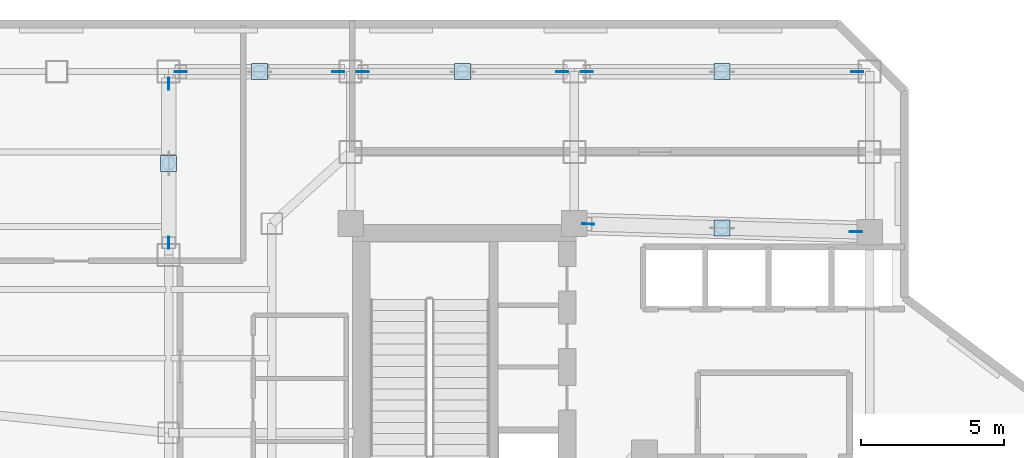
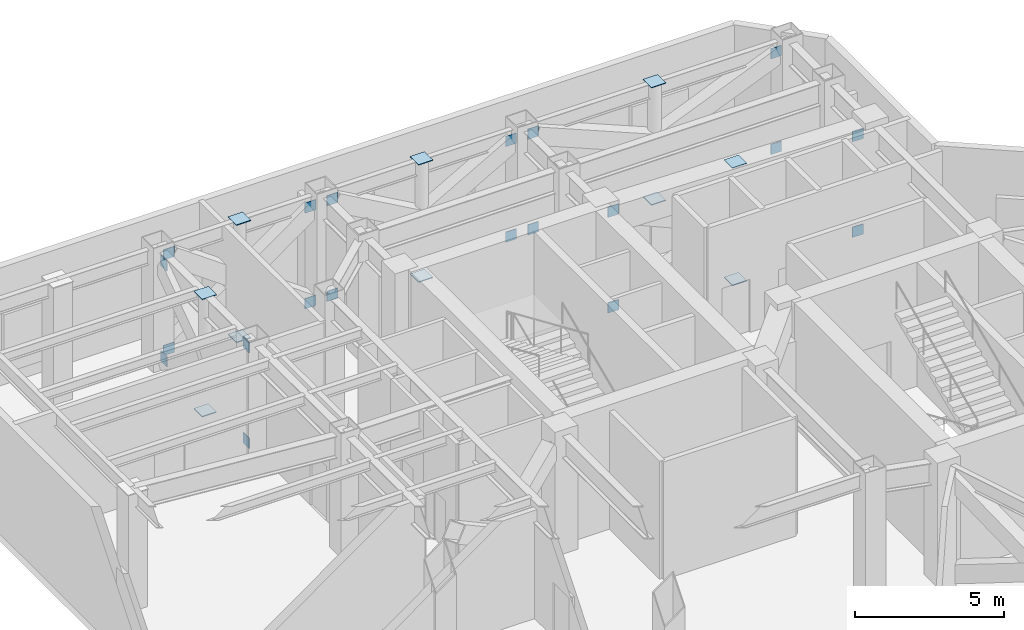
# One storey, part 6 of 12: 30 plates.
"""IFC4 building model written with IfcOpenShell, lengths in metres."""

import ifcopenshell
import ifcopenshell.guid

model = None  # the IFC model being written
_history = None  # IfcOwnerHistory: only IFC2X3 demands one
_inside = {}  # id of a spatial element -> (the spatial element, [elements in it])
_under = {}  # id of a project, library or spatial element -> (it, [spatial elements below it])
_declared = {}  # id of a project -> (the project, [libraries it declares])
_typed = {}  # id of a type object -> (the type object, [elements of that type])
_made_of = {}  # id of a material, layer set ... -> (it, [elements and type objects made of it])


def new_model(schema):
    """Start an empty IFC model of exactly this schema.

    Asked for "IFC4X3", IfcOpenShell would pick the latest addendum, in which some entities
    have other attributes; the version numbers below select the first issue.
    IFC2X3 requires an IfcOwnerHistory on every rooted entity: one is made here for all.
    """
    global model, _history
    if schema == "IFC4X3":
        model = ifcopenshell.file(schema_version=(4, 3, 0, 0))
    else:
        model = ifcopenshell.file(schema=schema)
    _inside.clear()
    _under.clear()
    _declared.clear()
    _typed.clear()
    _made_of.clear()
    _history = None
    if model.schema == "IFC2X3":
        org = make("IfcOrganization", Name="unknown")
        user = make(
            "IfcPersonAndOrganization",
            ThePerson=make("IfcPerson", FamilyName="unknown"),
            TheOrganization=org,
        )
        app = make(
            "IfcApplication",
            ApplicationDeveloper=org,
            Version="unknown",
            ApplicationFullName="unknown",
            ApplicationIdentifier="unknown",
        )
        _history = make(
            "IfcOwnerHistory",
            OwningUser=user,
            OwningApplication=app,
            ChangeAction="ADDED",
            CreationDate=0,
        )
    return model


def make(cls, **values):
    """One entity of the class cls with the attributes given. An attribute that is None is left unset."""
    return model.create_entity(
        cls, **{name: value for name, value in values.items() if value is not None}
    )


def rooted(cls, **values):
    """An entity with a GlobalId (a new one), such as an element, a storey or a relation."""
    return make(cls, GlobalId=ifcopenshell.guid.new(), OwnerHistory=_history, **values)


def si_unit(unit_type, name, prefix=None):
    """IfcSIUnit, for example si_unit("LENGTHUNIT", "METRE", prefix="MILLI")."""
    return make("IfcSIUnit", UnitType=unit_type, Prefix=prefix, Name=name)


def assignment(units):
    """IfcUnitAssignment: the units of a project."""
    return None if units is None else make("IfcUnitAssignment", Units=units)


def point(xyz):
    """IfcCartesianPoint."""
    return None if xyz is None else make("IfcCartesianPoint", Coordinates=xyz)


def direction(xyz):
    """IfcDirection."""
    return None if xyz is None else make("IfcDirection", DirectionRatios=xyz)


def frame(location, z_axis=None, x_axis=None):
    """IfcAxis2Placement3D, a coordinate frame: its origin and axes. An axis left out is left unset."""
    return make(
        "IfcAxis2Placement3D",
        Location=point(location),
        Axis=direction(z_axis),
        RefDirection=direction(x_axis),
    )


def frame_2d(location, x_axis=None):
    """IfcAxis2Placement2D, a coordinate frame in the plane: its origin and x axis."""
    return make(
        "IfcAxis2Placement2D", Location=point(location), RefDirection=direction(x_axis)
    )


def origin():
    """The frame at (0, 0, 0) with its axes left unset."""
    return frame((0.0, 0.0, 0.0))


def origin_2d():
    """The frame at (0, 0) in the plane with its x axis left unset."""
    return frame_2d((0.0, 0.0))


def place(relative_to, where):
    """IfcLocalPlacement: puts the frame where relative to a parent placement (None: the world)."""
    return make(
        "IfcLocalPlacement", PlacementRelTo=relative_to, RelativePlacement=where
    )


def context(
    kind, dimensions, precision=None, world=None, true_north=None, identifier=None
):
    """IfcGeometricRepresentationContext, for example the 3D "Model" context."""
    return make(
        "IfcGeometricRepresentationContext",
        ContextIdentifier=identifier,
        ContextType=kind,
        CoordinateSpaceDimension=dimensions,
        Precision=precision,
        WorldCoordinateSystem=world,
        TrueNorth=true_north,
    )


def subcontext(parent, identifier, kind, view, scale=None):
    """IfcGeometricRepresentationSubContext, for example "Body" below "Model"."""
    return make(
        "IfcGeometricRepresentationSubContext",
        ContextIdentifier=identifier,
        ContextType=kind,
        ParentContext=parent,
        TargetScale=scale,
        TargetView=view,
    )


def project(units=None, contexts=None):
    """IfcProject with its units and contexts."""
    return rooted(
        "IfcProject",
        Name="project",
        RepresentationContexts=contexts,
        UnitsInContext=assignment(units),
    )


def spatial(cls, under=None, at=None, **own):
    """A site, building, storey or space (cls), placed at a placement, below another one or the project."""
    s = rooted(cls, ObjectPlacement=at, **own)
    if under is not None:
        _under.setdefault(under.id(), (under, []))[1].append(s)
    return s


def profile(cls, at=None, kind="AREA", **sizes):
    """A parametric profile (cls). Its sizes go by their IFC names, for example OverallWidth=200.0."""
    return make(cls, ProfileType=kind, Position=at, **sizes)


def rectangle(**sizes):
    """IfcRectangleProfileDef."""
    return profile("IfcRectangleProfileDef", **sizes)


def extrude(swept, where, along, depth):
    """IfcExtrudedAreaSolid: the profile swept, set in the frame where, extruded along a direction by depth."""
    return make(
        "IfcExtrudedAreaSolid",
        SweptArea=swept,
        Position=where,
        ExtrudedDirection=direction(along),
        Depth=depth,
    )


def shape(context_of_items, identifier, shape_type, items):
    """IfcShapeRepresentation: the items that make up one representation, for example the "Body"."""
    return make(
        "IfcShapeRepresentation",
        ContextOfItems=context_of_items,
        RepresentationIdentifier=identifier,
        RepresentationType=shape_type,
        Items=items,
    )


def material(Name=None, Category=None):
    """IfcMaterial."""
    return make("IfcMaterial", Name=Name, Category=Category)


def layer(
    of_material, thickness, ventilated=None, Name=None, Category=None, Priority=None
):
    """IfcMaterialLayer: one layer of a wall or slab, of a material (None: an air gap)."""
    return make(
        "IfcMaterialLayer",
        Material=of_material,
        LayerThickness=thickness,
        IsVentilated=ventilated,
        Name=Name,
        Category=Category,
        Priority=Priority,
    )


def layer_set(layers, Name=None):
    """IfcMaterialLayerSet."""
    return make("IfcMaterialLayerSet", MaterialLayers=layers, LayerSetName=Name)


def made_of(thing, what):
    """Note that an element or type object is made of a material, layer set ...; save() writes the relation."""
    if what is not None:
        _made_of.setdefault(what.id(), (what, []))[1].append(thing)
    return thing


def type_object(cls, material=None, **own):
    """A type object (cls), such as IfcWallType, which elements share."""
    return made_of(rooted(cls, **own), material)


def element(
    cls,
    number,
    at=None,
    inside=None,
    cuts=None,
    type_object=None,
    material=None,
    context=None,
    identifier="Body",
    shape_type=None,
    held_by="IfcProductDefinitionShape",
    body=None,
    shapes=None,
    **own,
):
    """One element of the class cls, such as IfcWall. Its Tag is "e" and its number.

    at: its placement. inside: the storey or other place that contains it. cuts: it is an
    opening in that element (IfcRelVoidsElement). A single representation is given by context,
    identifier, shape_type and body (its items); several are given by shapes. held_by: the class
    of the entity that holds the representations. save() writes the other relations.
    """
    e = rooted(cls, Tag="e%d" % number, ObjectPlacement=at, **own)
    if body is not None:
        shapes = [shape(context, identifier, shape_type, body)]
    if shapes is not None:
        e.Representation = make(held_by, Representations=shapes)
    if inside is not None:
        _inside.setdefault(inside.id(), (inside, []))[1].append(e)
    if cuts is not None:
        rooted(
            "IfcRelVoidsElement", RelatingBuildingElement=cuts, RelatedOpeningElement=e
        )
    if type_object is not None:
        _typed.setdefault(type_object.id(), (type_object, []))[1].append(e)
    return made_of(e, material)


def aggregate(whole, parts):
    """IfcRelAggregates: a whole, such as a stair, and the parts it consists of."""
    return rooted("IfcRelAggregates", RelatingObject=whole, RelatedObjects=parts)


def save(model, path):
    """Write the relations noted so far, then the file.

    IfcRelAggregates (storeys below a building ...), IfcRelContainedInSpatialStructure (elements
    in a storey), IfcRelDefinesByType, IfcRelAssociatesMaterial and IfcRelDeclares: one each for
    every whole, place, type object, material and project.
    """
    for whole, parts in _under.values():
        aggregate(whole, parts)
    for where, things in _inside.values():
        rooted(
            "IfcRelContainedInSpatialStructure",
            RelatedElements=things,
            RelatingStructure=where,
        )
    for kind, things in _typed.values():
        rooted("IfcRelDefinesByType", RelatedObjects=things, RelatingType=kind)
    for what, things in _made_of.values():
        rooted("IfcRelAssociatesMaterial", RelatedObjects=things, RelatingMaterial=what)
    for by, libraries in _declared.values():
        rooted("IfcRelDeclares", RelatingContext=by, RelatedDefinitions=libraries)
    model.write(path)


model = new_model("IFC4")

# Units and contexts
model_context = context("Model", 3, precision=1e-05, world=origin(), true_north=direction((0.0, 1.0)))
body_context = subcontext(model_context, "Body", "Model", "MODEL_VIEW")
ifc_project = project(units=[si_unit("LENGTHUNIT", "METRE"), si_unit("AREAUNIT", "SQUARE_METRE"), si_unit("VOLUMEUNIT", "CUBIC_METRE"), si_unit("PLANEANGLEUNIT", "RADIAN"), si_unit("MASSUNIT", "GRAM", prefix="KILO")], contexts=[model_context])

# Site, building, storey
site_placement = place(None, origin())
site = spatial("IfcSite", under=ifc_project, at=site_placement, CompositionType="ELEMENT")
building_placement = place(site_placement, origin())
building = spatial("IfcBuilding", under=site, at=building_placement, Name="Hatsunagi Terrace Concourse", CompositionType="ELEMENT")
storey_placement = place(building_placement, frame((0.0, 0.0, 181.64990234375)))
storey = spatial("IfcBuildingStorey", under=building, at=storey_placement, Name="L48", CompositionType="ELEMENT", Elevation=181.64990234375)

# Plates
ifc_material_1 = material(Name="Steel SN490C", Category="steel")
ifc_layer_1 = layer(ifc_material_1, 0.031982421875)
ifc_layer_set_1 = layer_set([ifc_layer_1], Name="ColumnEndCapPlate_32")
plate_type_1 = type_object("IfcPlateType", Name="ColumnEndCapPlate_32", PredefinedType="USERDEFINED", material=ifc_layer_set_1)
for number, where, z_axis, x_axis, name in (
    (1, (19.199951171875, 45.39990234375, 0.0), (0.0, 0.0, 1.0), (1.0, 0.0, 0.0), "Belt Strut Base End Plate GP-03 L48-2"),
    (2, (19.199951171875, 45.39990234375, 4.81787109375), (0.0, 0.0, 1.0), (1.0, 0.0, 0.0), "Belt Strut Top End Plate GP-03 L48-2"),
    (3, (22.375, 48.60009765625, 0.0), (0.0, 0.0, 1.0), (1.0, 0.0, 0.0), "Belt Strut Base End Plate GP-03 L48-3"),
    (4, (22.375, 48.60009765625, 4.81787109375), (0.0, 0.0, 1.0), (1.0, 0.0, 0.0), "Belt Strut Top End Plate GP-03 L48-3"),
    (5, (29.449951171875, 48.60009765625, 0.0), (0.0, 0.0, 1.0), (1.0, 0.0, 0.0), "Belt Strut Base End Plate GP-03 L48-4"),
    (6, (29.449951171875, 48.60009765625, 4.81787109375), (0.0, 0.0, 1.0), (1.0, 0.0, 0.0), "Belt Strut Top End Plate GP-03 L48-4"),
    (7, (38.5, 43.14990234375, 0.0), (0.0, 0.0, 1.0), (1.0, 0.0, 0.0), "Belt Strut Base End Plate GP-03 L48-7"),
    (8, (38.5, 43.14990234375, 4.81787109375), (0.0, 0.0, 1.0), (1.0, 0.0, 0.0), "Belt Strut Top End Plate GP-03 L48-7"),
    (9, (38.5, 48.60009765625, 0.0), (0.0, 0.0, 1.0), (1.0, 0.0, 0.0), "Belt Strut Base End Plate GP-03 L48-8"),
    (10, (38.5, 48.60009765625, 4.81787109375), (0.0, 0.0, 1.0), (1.0, 0.0, 0.0), "Belt Strut Top End Plate GP-03 L48-8"),
):
    element("IfcPlate", number, at=place(storey_placement, frame(where, z_axis=z_axis, x_axis=x_axis)), inside=storey, type_object=plate_type_1, Name=name, ObjectType="GUSSET_PLATE", PredefinedType="USERDEFINED", context=body_context, shape_type="SweptSolid", body=[
        extrude(rectangle(XDim=0.56005859375, YDim=0.56005859375, at=origin_2d()), origin(), (0.0, 0.0, 1.0), 0.031982421875),
    ])
ifc_material_2 = material(Name="Steel SN490C", Category="steel")
ifc_layer_2 = layer(ifc_material_2, 0.031982421875)
ifc_layer_set_2 = layer_set([ifc_layer_2], Name="XBraceNodeCapPlate_32")
plate_type_2 = type_object("IfcPlateType", Name="XBraceNodeCapPlate_32", PredefinedType="USERDEFINED", material=ifc_layer_set_2)
for number, where, z_axis, x_axis, name in (
    (11, (19.199951171875, 42.6279296875, 0.250244140625), (0.0, 0.0, 1.0), (0.0, 1.0, 0.0), "Cast-In Core and Node Embed Plate GP-02 EP-OUT-L48-2-AB"),
    (12, (19.199951171875, 42.6279296875, 4.18017578125), (0.0, 0.0, 1.0), (0.0, 1.0, 0.0), "Cast-In Core and Node Embed Plate GP-02 EP-OUT-L48-2-AT"),
    (13, (19.199951171875, 48.172119140625, 0.250244140625), (0.0, 0.0, 1.0), (0.0, 1.0, 0.0), "Cast-In Core and Node Embed Plate GP-02 EP-OUT-L48-2-BB"),
    (14, (19.199951171875, 48.172119140625, 4.18017578125), (0.0, 0.0, 1.0), (0.0, 1.0, 0.0), "Cast-In Core and Node Embed Plate GP-02 EP-OUT-L48-2-BT"),
    (15, (19.6279296875, 48.60009765625, 0.250244140625), (0.0, 0.0, 1.0), (1.0, 0.0, 0.0), "Cast-In Core and Node Embed Plate GP-02 EP-OUT-L48-3-AB"),
    (16, (19.6279296875, 48.60009765625, 4.18017578125), (0.0, 0.0, 1.0), (1.0, 0.0, 0.0), "Cast-In Core and Node Embed Plate GP-02 EP-OUT-L48-3-AT"),
    (17, (25.1220703125, 48.60009765625, 0.250244140625), (0.0, 0.0, 1.0), (1.0, 0.0, 0.0), "Cast-In Core and Node Embed Plate GP-02 EP-OUT-L48-3-BB"),
    (18, (25.1220703125, 48.60009765625, 4.18017578125), (0.0, 0.0, 1.0), (1.0, 0.0, 0.0), "Cast-In Core and Node Embed Plate GP-02 EP-OUT-L48-3-BT"),
    (19, (25.97802734375, 48.60009765625, 0.250244140625), (0.0, 0.0, 1.0), (1.0, 0.0, 0.0), "Cast-In Core and Node Embed Plate GP-02 EP-OUT-L48-4-AB"),
    (20, (25.97802734375, 48.60009765625, 4.18017578125), (0.0, 0.0, 1.0), (1.0, 0.0, 0.0), "Cast-In Core and Node Embed Plate GP-02 EP-OUT-L48-4-AT"),
    (21, (32.922119140625, 48.60009765625, 0.250244140625), (0.0, 0.0, 1.0), (1.0, 0.0, 0.0), "Cast-In Core and Node Embed Plate GP-02 EP-OUT-L48-4-BB"),
    (22, (32.922119140625, 48.60009765625, 4.18017578125), (0.0, 0.0, 1.0), (1.0, 0.0, 0.0), "Cast-In Core and Node Embed Plate GP-02 EP-OUT-L48-4-BT"),
    (23, (33.827880859375, 43.285888671875, 0.250244140625), (0.0, 0.0, 1.0), (0.999576120557, -0.029113213716, 0.0), "Cast-In Core and Node Embed Plate GP-02 EP-OUT-L48-7-AB"),
    (24, (33.827880859375, 43.285888671875, 4.18017578125), (0.0, 0.0, 1.0), (0.999576120557, -0.029113213716, 0.0), "Cast-In Core and Node Embed Plate GP-02 EP-OUT-L48-7-AT"),
    (25, (43.172119140625, 43.013916015625, 0.250244140625), (0.0, 0.0, 1.0), (0.999576120557, -0.029113213716, 0.0), "Cast-In Core and Node Embed Plate GP-02 EP-OUT-L48-7-BB"),
    (26, (43.172119140625, 43.013916015625, 4.18017578125), (0.0, 0.0, 1.0), (0.999576120557, -0.029113213716, 0.0), "Cast-In Core and Node Embed Plate GP-02 EP-OUT-L48-7-BT"),
    (27, (33.778076171875, 48.60009765625, 0.250244140625), (0.0, 0.0, 1.0), (1.0, 0.0, 0.0), "Cast-In Core and Node Embed Plate GP-02 EP-OUT-L48-8-AB"),
    (28, (33.778076171875, 48.60009765625, 4.18017578125), (0.0, 0.0, 1.0), (1.0, 0.0, 0.0), "Cast-In Core and Node Embed Plate GP-02 EP-OUT-L48-8-AT"),
    (29, (43.221923828125, 48.60009765625, 0.250244140625), (0.0, 0.0, 1.0), (1.0, 0.0, 0.0), "Cast-In Core and Node Embed Plate GP-02 EP-OUT-L48-8-BB"),
    (30, (43.221923828125, 48.60009765625, 4.18017578125), (0.0, 0.0, 1.0), (1.0, 0.0, 0.0), "Cast-In Core and Node Embed Plate GP-02 EP-OUT-L48-8-BT"),
):
    element("IfcPlate", number, at=place(storey_placement, frame(where, z_axis=z_axis, x_axis=x_axis)), inside=storey, type_object=plate_type_2, Name=name, ObjectType="GUSSET_PLATE", PredefinedType="USERDEFINED", context=body_context, shape_type="SweptSolid", body=[
        extrude(rectangle(XDim=0.419921875, YDim=0.031982421875, at=origin_2d()), origin(), (0.0, 0.0, 1.0), 0.419921875),
    ])

save(model, "model.ifc")
